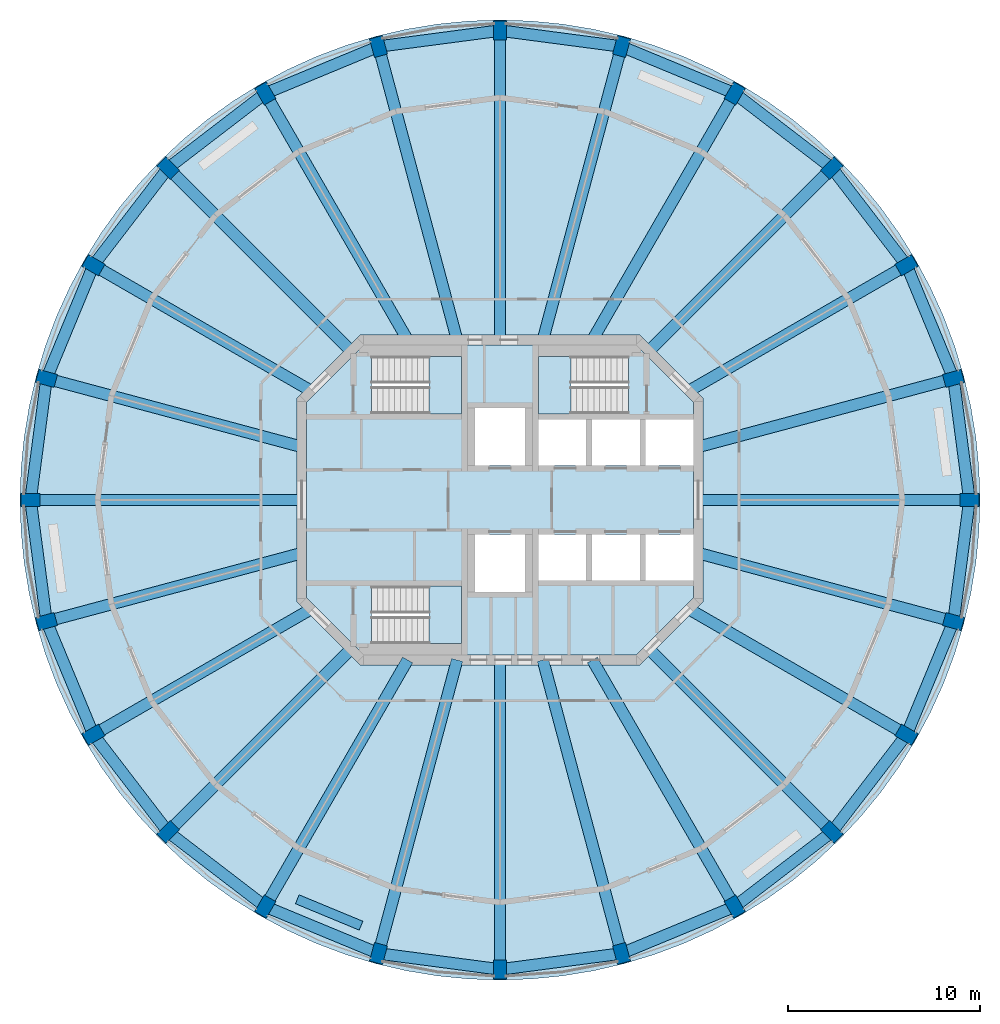
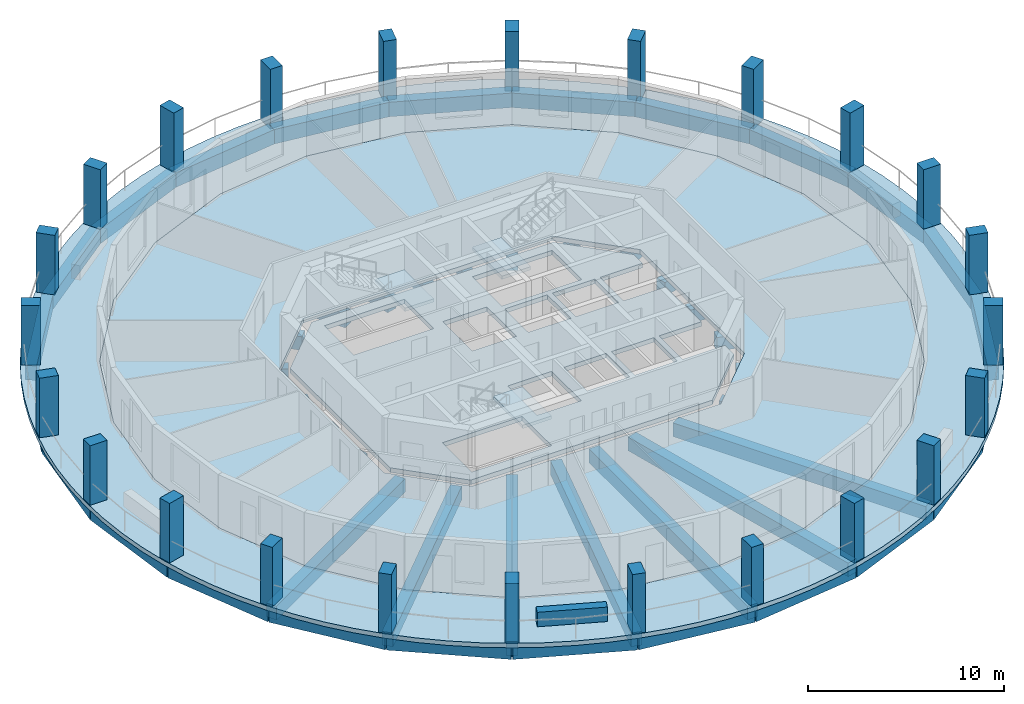
# One storey, part 1 of 9: 48 beams, 24 columns, 6 slabs, 1 wall, 3 elements without a shape of their own.
"""IFC4 building model written with IfcOpenShell, lengths in metres."""

from ifc_helpers import new_model, si_unit, direction, frame, frame_2d, origin, origin_2d, place, context, subcontext, project, spatial, polyline, rectangle, outline, extrude, material, layer, layer_set, material_profile, profile_set, type_object, element, aggregate, save


model = new_model("IFC4")

# Units and contexts
model_context = context("Model", 3, precision=1e-05, world=origin(), true_north=direction((0.0, 1.0)))
body_context = subcontext(model_context, "Body", "Model", "MODEL_VIEW")
ifc_project = project(units=[si_unit("LENGTHUNIT", "METRE"), si_unit("AREAUNIT", "SQUARE_METRE"), si_unit("VOLUMEUNIT", "CUBIC_METRE"), si_unit("PLANEANGLEUNIT", "RADIAN"), si_unit("MASSUNIT", "GRAM", prefix="KILO")], contexts=[model_context])

# Site, building, storey
site_placement = place(None, origin())
site = spatial("IfcSite", under=ifc_project, at=site_placement, CompositionType="ELEMENT")
building_placement = place(site_placement, origin())
building = spatial("IfcBuilding", under=site, at=building_placement, Name="Torre Triforio", CompositionType="ELEMENT")
storey_placement = place(building_placement, frame((0.0, 0.0, 268.60009765625)))
storey = spatial("IfcBuildingStorey", under=building, at=storey_placement, Name="L62", CompositionType="ELEMENT", Elevation=268.60009765625)

# Columns
ifc_material_1 = material(Name="Concrete C40", Category="concrete")
ifc_material_profile_1 = material_profile(ifc_material_1, rectangle(XDim=0.699951171875, YDim=1.0, at=origin_2d()), Name="RC 700x1000")
ifc_profile_set_1 = profile_set([ifc_material_profile_1], Name="Concrete C40")
column_type = type_object("IfcColumnType", Name="Pier RC 700x1000 C40", PredefinedType="COLUMN", material=ifc_profile_set_1)
for number, where, z_axis, x_axis, name in (
    (1, (24.5, 0.0, 0.0), (0.0, 0.0, 1.0), (0.0, 1.0, 0.0), "COL.R.L62.00"),
    (2, (23.665283203125, 6.341064453125, 0.0), (0.0, 0.0, 1.0), (-0.258819045103, 0.965925826289, 0.0), "COL.R.L62.01"),
    (3, (21.217529296875, 12.25, 0.0), (0.0, 0.0, 1.0), (-0.5, 0.866025403784, 0.0), "COL.R.L62.02"),
    (4, (17.32421875, 17.32421875, 0.0), (0.0, 0.0, 1.0), (-0.707106781187, 0.707106781187, 0.0), "COL.R.L62.03"),
    (5, (12.25, 21.217529296875, 0.0), (0.0, 0.0, 1.0), (-0.866025403784, 0.5, 0.0), "COL.R.L62.04"),
    (6, (6.341064453125, 23.665283203125, 0.0), (0.0, 0.0, 1.0), (-0.965925826289, 0.258819045103, 0.0), "COL.R.L62.05"),
    (7, (0.0, 24.5, 0.0), (0.0, 0.0, 1.0), (-1.0, 0.0, 0.0), "COL.R.L62.06"),
    (8, (-6.341064453125, 23.665283203125, 0.0), (0.0, 0.0, 1.0), (-0.965925826289, -0.258819045103, 0.0), "COL.R.L62.07"),
    (9, (-12.25, 21.217529296875, 0.0), (0.0, 0.0, 1.0), (-0.866025403784, -0.5, 0.0), "COL.R.L62.08"),
    (10, (-17.32421875, 17.32421875, 0.0), (0.0, 0.0, 1.0), (-0.707106781187, -0.707106781187, 0.0), "COL.R.L62.09"),
    (11, (-21.217529296875, 12.25, 0.0), (0.0, 0.0, 1.0), (-0.5, -0.866025403784, 0.0), "COL.R.L62.10"),
    (12, (-23.665283203125, 6.341064453125, 0.0), (0.0, 0.0, 1.0), (-0.258819045103, -0.965925826289, 0.0), "COL.R.L62.11"),
    (13, (-24.5, 0.0, 0.0), (0.0, 0.0, 1.0), (0.0, -1.0, 0.0), "COL.R.L62.12"),
    (14, (-23.665283203125, -6.341064453125, 0.0), (0.0, 0.0, 1.0), (0.258819045103, -0.965925826289, 0.0), "COL.R.L62.13"),
    (15, (-21.217529296875, -12.25, 0.0), (0.0, 0.0, 1.0), (0.5, -0.866025403784, 0.0), "COL.R.L62.14"),
    (16, (-17.32421875, -17.32421875, 0.0), (0.0, 0.0, 1.0), (0.707106781187, -0.707106781187, 0.0), "COL.R.L62.15"),
    (17, (-12.25, -21.217529296875, 0.0), (0.0, 0.0, 1.0), (0.866025403784, -0.5, 0.0), "COL.R.L62.16"),
    (18, (-6.341064453125, -23.665283203125, 0.0), (0.0, 0.0, 1.0), (0.965925826289, -0.258819045103, 0.0), "COL.R.L62.17"),
    (19, (0.0, -24.5, 0.0), (0.0, 0.0, 1.0), (1.0, 0.0, 0.0), "COL.R.L62.18"),
    (20, (6.341064453125, -23.665283203125, 0.0), (0.0, 0.0, 1.0), (0.965925826289, 0.258819045103, 0.0), "COL.R.L62.19"),
    (21, (12.25, -21.217529296875, 0.0), (0.0, 0.0, 1.0), (0.866025403784, 0.5, 0.0), "COL.R.L62.20"),
    (22, (17.32421875, -17.32421875, 0.0), (0.0, 0.0, 1.0), (0.707106781187, 0.707106781187, 0.0), "COL.R.L62.21"),
    (23, (21.217529296875, -12.25, 0.0), (0.0, 0.0, 1.0), (0.5, 0.866025403784, 0.0), "COL.R.L62.22"),
    (24, (23.665283203125, -6.341064453125, 0.0), (0.0, 0.0, 1.0), (0.258819045103, 0.965925826289, 0.0), "COL.R.L62.23"),
):
    element("IfcColumn", number, at=place(storey_placement, frame(where, z_axis=z_axis, x_axis=x_axis)), inside=storey, type_object=column_type, Name=name, PredefinedType="COLUMN", context=body_context, shape_type="SweptSolid", body=[
        extrude(rectangle(XDim=0.699951171875, YDim=1.0, at=origin_2d()), origin(), (0.0, 0.0, 1.0), 3.699951171875),
    ])

# Beams
ifc_material_profile_2 = material_profile(ifc_material_1, rectangle(XDim=0.60009765625, YDim=0.85009765625, at=origin_2d()), Name="RC 600x850")
ifc_profile_set_2 = profile_set([ifc_material_profile_2], Name="Concrete C40")
beam_type_1 = type_object("IfcBeamType", Name="Radial beam RC 600x850 C40", PredefinedType="BEAM", material=ifc_profile_set_2)
beam_1_placement = place(storey_placement, frame((10.35009765625, 0.0, -0.705078125), z_axis=(1.0, 0.0, 0.0), x_axis=(0.0, 1.0, 0.0)))
element("IfcBeam", 25, at=beam_1_placement, inside=storey, type_object=beam_type_1, Name="BM.R.L62.00", PredefinedType="BEAM", context=body_context, shape_type="SweptSolid", body=[
    extrude(rectangle(XDim=0.60009765625, YDim=0.85009765625, at=origin_2d()), origin(), (0.0, 0.0, 1.0), 14.14990234375),
])
beam_2_placement = place(storey_placement, frame((10.35009765625, 2.773193359375, -0.705078125), z_axis=(0.965924413872, 0.258824316257, 0.0), x_axis=(-0.258824316257, 0.965924413872, 0.0)))
element("IfcBeam", 26, at=beam_2_placement, inside=storey, type_object=beam_type_1, Name="BM.R.L62.01", PredefinedType="BEAM", context=body_context, shape_type="SweptSolid", body=[
    extrude(rectangle(XDim=0.60009765625, YDim=0.85009765625, at=origin_2d()), origin(), (0.0, 0.0, 1.0), 13.784912109375),
])
beam_3_placement = place(storey_placement, frame((9.860595703125, 5.693115234375, -0.705078125), z_axis=(0.866026853401, 0.499997489182, 0.0), x_axis=(-0.499997489182, 0.866026853401, 0.0)))
element("IfcBeam", 27, at=beam_3_placement, inside=storey, type_object=beam_type_1, Name="BM.R.L62.02", PredefinedType="BEAM", context=body_context, shape_type="SweptSolid", body=[
    extrude(rectangle(XDim=0.60009765625, YDim=0.85009765625, at=origin_2d()), origin(), (0.0, 0.0, 1.0), 13.11376953125),
])
beam_4_placement = place(storey_placement, frame((7.77685546875, 7.77685546875, -0.705078125), z_axis=(0.707106781187, 0.707106781187, 0.0), x_axis=(-0.707106781187, 0.707106781187, 0.0)))
element("IfcBeam", 28, at=beam_4_placement, inside=storey, type_object=beam_type_1, Name="BM.R.L62.03", PredefinedType="BEAM", context=body_context, shape_type="SweptSolid", body=[
    extrude(rectangle(XDim=0.60009765625, YDim=0.85009765625, at=origin_2d()), origin(), (0.0, 0.0, 1.0), 13.501953125),
])
beam_5_placement = place(storey_placement, frame((4.82080078125, 8.35009765625, -0.705078125), z_axis=(0.50000929273, 0.866020038558, 0.0), x_axis=(-0.866020038558, 0.50000929273, 0.0)))
element("IfcBeam", 29, at=beam_5_placement, inside=storey, type_object=beam_type_1, Name="BM.R.L62.04", PredefinedType="BEAM", context=body_context, shape_type="SweptSolid", body=[
    extrude(rectangle(XDim=0.60009765625, YDim=0.85009765625, at=origin_2d()), origin(), (0.0, 0.0, 1.0), 14.858154296875),
])
beam_6_placement = place(storey_placement, frame((2.2373046875, 8.35009765625, -0.705078125), z_axis=(0.258823056343, 0.965924751471, 0.0), x_axis=(-0.965924751471, 0.258823056343, 0.0)))
element("IfcBeam", 30, at=beam_6_placement, inside=storey, type_object=beam_type_1, Name="BM.R.L62.05", PredefinedType="BEAM", context=body_context, shape_type="SweptSolid", body=[
    extrude(rectangle(XDim=0.60009765625, YDim=0.85009765625, at=origin_2d()), origin(), (0.0, 0.0, 1.0), 15.85546875),
])
beam_7_placement = place(storey_placement, frame((0.0, 8.35009765625, -0.705078125), z_axis=(0.0, 1.0, 0.0), x_axis=(-1.0, 0.0, 0.0)))
element("IfcBeam", 31, at=beam_7_placement, inside=storey, type_object=beam_type_1, Name="BM.R.L62.06", PredefinedType="BEAM", context=body_context, shape_type="SweptSolid", body=[
    extrude(rectangle(XDim=0.60009765625, YDim=0.85009765625, at=origin_2d()), origin(), (0.0, 0.0, 1.0), 16.14990234375),
])
beam_8_placement = place(storey_placement, frame((-2.2373046875, 8.35009765625, -0.705078125), z_axis=(-0.258823056343, 0.965924751471, 0.0), x_axis=(-0.965924751471, -0.258823056343, 0.0)))
element("IfcBeam", 32, at=beam_8_placement, inside=storey, type_object=beam_type_1, Name="BM.R.L62.07", PredefinedType="BEAM", context=body_context, shape_type="SweptSolid", body=[
    extrude(rectangle(XDim=0.60009765625, YDim=0.85009765625, at=origin_2d()), origin(), (0.0, 0.0, 1.0), 15.85546875),
])
beam_9_placement = place(storey_placement, frame((-4.82080078125, 8.35009765625, -0.705078125), z_axis=(-0.50000929273, 0.866020038558, 0.0), x_axis=(-0.866020038558, -0.50000929273, 0.0)))
element("IfcBeam", 33, at=beam_9_placement, inside=storey, type_object=beam_type_1, Name="BM.R.L62.08", PredefinedType="BEAM", context=body_context, shape_type="SweptSolid", body=[
    extrude(rectangle(XDim=0.60009765625, YDim=0.85009765625, at=origin_2d()), origin(), (0.0, 0.0, 1.0), 14.858154296875),
])
beam_10_placement = place(storey_placement, frame((-7.77685546875, 7.77685546875, -0.705078125), z_axis=(-0.707106781187, 0.707106781187, 0.0), x_axis=(-0.707106781187, -0.707106781187, 0.0)))
element("IfcBeam", 34, at=beam_10_placement, inside=storey, type_object=beam_type_1, Name="BM.R.L62.09", PredefinedType="BEAM", context=body_context, shape_type="SweptSolid", body=[
    extrude(rectangle(XDim=0.60009765625, YDim=0.85009765625, at=origin_2d()), origin(), (0.0, 0.0, 1.0), 13.501953125),
])
beam_11_placement = place(storey_placement, frame((-9.860595703125, 5.693115234375, -0.705078125), z_axis=(-0.866026853401, 0.499997489182, 0.0), x_axis=(-0.499997489182, -0.866026853401, 0.0)))
element("IfcBeam", 35, at=beam_11_placement, inside=storey, type_object=beam_type_1, Name="BM.R.L62.10", PredefinedType="BEAM", context=body_context, shape_type="SweptSolid", body=[
    extrude(rectangle(XDim=0.60009765625, YDim=0.85009765625, at=origin_2d()), origin(), (0.0, 0.0, 1.0), 13.11376953125),
])
beam_12_placement = place(storey_placement, frame((-10.35009765625, 2.773193359375, -0.705078125), z_axis=(-0.965924413872, 0.258824316257, 0.0), x_axis=(-0.258824316257, -0.965924413872, 0.0)))
element("IfcBeam", 36, at=beam_12_placement, inside=storey, type_object=beam_type_1, Name="BM.R.L62.11", PredefinedType="BEAM", context=body_context, shape_type="SweptSolid", body=[
    extrude(rectangle(XDim=0.60009765625, YDim=0.85009765625, at=origin_2d()), origin(), (0.0, 0.0, 1.0), 13.784912109375),
])
beam_13_placement = place(storey_placement, frame((-10.35009765625, 0.0, -0.705078125), z_axis=(-1.0, 0.0, 0.0), x_axis=(0.0, -1.0, 0.0)))
element("IfcBeam", 37, at=beam_13_placement, inside=storey, type_object=beam_type_1, Name="BM.R.L62.12", PredefinedType="BEAM", context=body_context, shape_type="SweptSolid", body=[
    extrude(rectangle(XDim=0.60009765625, YDim=0.85009765625, at=origin_2d()), origin(), (0.0, 0.0, 1.0), 14.14990234375),
])
beam_14_placement = place(storey_placement, frame((-10.35009765625, -2.773193359375, -0.705078125), z_axis=(-0.965924413872, -0.258824316257, 0.0), x_axis=(0.258824316257, -0.965924413872, 0.0)))
element("IfcBeam", 38, at=beam_14_placement, inside=storey, type_object=beam_type_1, Name="BM.R.L62.13", PredefinedType="BEAM", context=body_context, shape_type="SweptSolid", body=[
    extrude(rectangle(XDim=0.60009765625, YDim=0.85009765625, at=origin_2d()), origin(), (0.0, 0.0, 1.0), 13.784912109375),
])
beam_15_placement = place(storey_placement, frame((-9.860595703125, -5.693115234375, -0.705078125), z_axis=(-0.866026853401, -0.499997489182, 0.0), x_axis=(0.499997489182, -0.866026853401, 0.0)))
element("IfcBeam", 39, at=beam_15_placement, inside=storey, type_object=beam_type_1, Name="BM.R.L62.14", PredefinedType="BEAM", context=body_context, shape_type="SweptSolid", body=[
    extrude(rectangle(XDim=0.60009765625, YDim=0.85009765625, at=origin_2d()), origin(), (0.0, 0.0, 1.0), 13.11376953125),
])
beam_16_placement = place(storey_placement, frame((-7.77685546875, -7.77685546875, -0.705078125), z_axis=(-0.707106781187, -0.707106781187, 0.0), x_axis=(0.707106781187, -0.707106781187, 0.0)))
element("IfcBeam", 40, at=beam_16_placement, inside=storey, type_object=beam_type_1, Name="BM.R.L62.15", PredefinedType="BEAM", context=body_context, shape_type="SweptSolid", body=[
    extrude(rectangle(XDim=0.60009765625, YDim=0.85009765625, at=origin_2d()), origin(), (0.0, 0.0, 1.0), 13.501953125),
])
beam_17_placement = place(storey_placement, frame((-4.82080078125, -8.35009765625, -0.705078125), z_axis=(-0.50000929273, -0.866020038558, 0.0), x_axis=(0.866020038558, -0.50000929273, 0.0)))
element("IfcBeam", 41, at=beam_17_placement, inside=storey, type_object=beam_type_1, Name="BM.R.L62.16", PredefinedType="BEAM", context=body_context, shape_type="SweptSolid", body=[
    extrude(rectangle(XDim=0.60009765625, YDim=0.85009765625, at=origin_2d()), origin(), (0.0, 0.0, 1.0), 14.858154296875),
])
beam_18_placement = place(storey_placement, frame((-2.2373046875, -8.35009765625, -0.705078125), z_axis=(-0.258823056343, -0.965924751471, 0.0), x_axis=(0.965924751471, -0.258823056343, 0.0)))
element("IfcBeam", 42, at=beam_18_placement, inside=storey, type_object=beam_type_1, Name="BM.R.L62.17", PredefinedType="BEAM", context=body_context, shape_type="SweptSolid", body=[
    extrude(rectangle(XDim=0.60009765625, YDim=0.85009765625, at=origin_2d()), origin(), (0.0, 0.0, 1.0), 15.85546875),
])
beam_19_placement = place(storey_placement, frame((0.0, -8.35009765625, -0.705078125), z_axis=(0.0, -1.0, 0.0), x_axis=(1.0, 0.0, 0.0)))
element("IfcBeam", 43, at=beam_19_placement, inside=storey, type_object=beam_type_1, Name="BM.R.L62.18", PredefinedType="BEAM", context=body_context, shape_type="SweptSolid", body=[
    extrude(rectangle(XDim=0.60009765625, YDim=0.85009765625, at=origin_2d()), origin(), (0.0, 0.0, 1.0), 16.14990234375),
])
beam_20_placement = place(storey_placement, frame((2.2373046875, -8.35009765625, -0.705078125), z_axis=(0.258823056343, -0.965924751471, 0.0), x_axis=(0.965924751471, 0.258823056343, 0.0)))
element("IfcBeam", 44, at=beam_20_placement, inside=storey, type_object=beam_type_1, Name="BM.R.L62.19", PredefinedType="BEAM", context=body_context, shape_type="SweptSolid", body=[
    extrude(rectangle(XDim=0.60009765625, YDim=0.85009765625, at=origin_2d()), origin(), (0.0, 0.0, 1.0), 15.85546875),
])
beam_21_placement = place(storey_placement, frame((4.82080078125, -8.35009765625, -0.705078125), z_axis=(0.50000929273, -0.866020038558, 0.0), x_axis=(0.866020038558, 0.50000929273, 0.0)))
element("IfcBeam", 45, at=beam_21_placement, inside=storey, type_object=beam_type_1, Name="BM.R.L62.20", PredefinedType="BEAM", context=body_context, shape_type="SweptSolid", body=[
    extrude(rectangle(XDim=0.60009765625, YDim=0.85009765625, at=origin_2d()), origin(), (0.0, 0.0, 1.0), 14.858154296875),
])
beam_22_placement = place(storey_placement, frame((7.77685546875, -7.77685546875, -0.705078125), z_axis=(0.707106781187, -0.707106781187, 0.0), x_axis=(0.707106781187, 0.707106781187, 0.0)))
element("IfcBeam", 46, at=beam_22_placement, inside=storey, type_object=beam_type_1, Name="BM.R.L62.21", PredefinedType="BEAM", context=body_context, shape_type="SweptSolid", body=[
    extrude(rectangle(XDim=0.60009765625, YDim=0.85009765625, at=origin_2d()), origin(), (0.0, 0.0, 1.0), 13.501953125),
])
beam_23_placement = place(storey_placement, frame((9.860595703125, -5.693115234375, -0.705078125), z_axis=(0.866026853401, -0.499997489182, 0.0), x_axis=(0.499997489182, 0.866026853401, 0.0)))
element("IfcBeam", 47, at=beam_23_placement, inside=storey, type_object=beam_type_1, Name="BM.R.L62.22", PredefinedType="BEAM", context=body_context, shape_type="SweptSolid", body=[
    extrude(rectangle(XDim=0.60009765625, YDim=0.85009765625, at=origin_2d()), origin(), (0.0, 0.0, 1.0), 13.11376953125),
])
beam_24_placement = place(storey_placement, frame((10.35009765625, -2.773193359375, -0.705078125), z_axis=(0.965924413872, -0.258824316257, 0.0), x_axis=(0.258824316257, 0.965924413872, 0.0)))
element("IfcBeam", 48, at=beam_24_placement, inside=storey, type_object=beam_type_1, Name="BM.R.L62.23", PredefinedType="BEAM", context=body_context, shape_type="SweptSolid", body=[
    extrude(rectangle(XDim=0.60009765625, YDim=0.85009765625, at=origin_2d()), origin(), (0.0, 0.0, 1.0), 13.784912109375),
])
ifc_material_profile_3 = material_profile(ifc_material_1, rectangle(XDim=0.60009765625, YDim=0.89990234375, at=origin_2d()), Name="RC 600x900")
ifc_profile_set_3 = profile_set([ifc_material_profile_3], Name="Concrete C40")
beam_type_2 = type_object("IfcBeamType", Name="Spandrel beam RC 600x900 C40", PredefinedType="SPANDREL", material=ifc_profile_set_3)
for number, where, z_axis, x_axis, name in (
    (49, (24.5, 0.0, -0.72998046875), (-0.130510796237, 0.991446888172, 0.0), (-0.991446888172, -0.130510796237, 0.0), "BM.S.L62.00"),
    (50, (23.665283203125, 6.341064453125, -0.72998046875), (-0.382709143949, 0.923868882006, 0.0), (-0.923868882006, -0.382709143949, 0.0), "BM.S.L62.01"),
    (51, (21.217529296875, 12.25, -0.72998046875), (-0.60873442055, 0.79337406388, 0.0), (-0.79337406388, -0.60873442055, 0.0), "BM.S.L62.02"),
    (52, (17.32421875, 17.32421875, -0.72998046875), (-0.79337406388, 0.60873442055, 0.0), (-0.60873442055, -0.79337406388, 0.0), "BM.S.L62.03"),
    (53, (12.25, 21.217529296875, -0.72998046875), (-0.923868882006, 0.382709143949, 0.0), (-0.382709143949, -0.923868882006, 0.0), "BM.S.L62.04"),
    (54, (6.341064453125, 23.665283203125, -0.72998046875), (-0.991446888172, 0.130510796237, 0.0), (-0.130510796237, -0.991446888172, 0.0), "BM.S.L62.05"),
    (55, (0.0, 24.5, -0.72998046875), (-0.991446888172, -0.130510796237, 0.0), (0.130510796237, -0.991446888172, 0.0), "BM.S.L62.06"),
    (56, (-6.341064453125, 23.665283203125, -0.72998046875), (-0.923868882006, -0.382709143949, 0.0), (0.382709143949, -0.923868882006, 0.0), "BM.S.L62.07"),
    (57, (-12.25, 21.217529296875, -0.72998046875), (-0.79337406388, -0.60873442055, 0.0), (0.60873442055, -0.79337406388, 0.0), "BM.S.L62.08"),
    (58, (-17.32421875, 17.32421875, -0.72998046875), (-0.60873442055, -0.79337406388, 0.0), (0.79337406388, -0.60873442055, 0.0), "BM.S.L62.09"),
    (59, (-21.217529296875, 12.25, -0.72998046875), (-0.382709143949, -0.923868882006, 0.0), (0.923868882006, -0.382709143949, 0.0), "BM.S.L62.10"),
    (60, (-23.665283203125, 6.341064453125, -0.72998046875), (-0.130510796237, -0.991446888172, 0.0), (0.991446888172, -0.130510796237, 0.0), "BM.S.L62.11"),
    (61, (-24.5, 0.0, -0.72998046875), (0.130510796237, -0.991446888172, 0.0), (0.991446888172, 0.130510796237, 0.0), "BM.S.L62.12"),
    (62, (-23.665283203125, -6.341064453125, -0.72998046875), (0.382709143949, -0.923868882006, 0.0), (0.923868882006, 0.382709143949, 0.0), "BM.S.L62.13"),
    (63, (-21.217529296875, -12.25, -0.72998046875), (0.60873442055, -0.79337406388, 0.0), (0.79337406388, 0.60873442055, 0.0), "BM.S.L62.14"),
    (64, (-17.32421875, -17.32421875, -0.72998046875), (0.79337406388, -0.60873442055, 0.0), (0.60873442055, 0.79337406388, 0.0), "BM.S.L62.15"),
    (65, (-12.25, -21.217529296875, -0.72998046875), (0.923868882006, -0.382709143949, 0.0), (0.382709143949, 0.923868882006, 0.0), "BM.S.L62.16"),
    (66, (-6.341064453125, -23.665283203125, -0.72998046875), (0.991446888172, -0.130510796237, 0.0), (0.130510796237, 0.991446888172, 0.0), "BM.S.L62.17"),
    (67, (0.0, -24.5, -0.72998046875), (0.991446888172, 0.130510796237, 0.0), (-0.130510796237, 0.991446888172, 0.0), "BM.S.L62.18"),
    (68, (6.341064453125, -23.665283203125, -0.72998046875), (0.923868882006, 0.382709143949, 0.0), (-0.382709143949, 0.923868882006, 0.0), "BM.S.L62.19"),
    (69, (12.25, -21.217529296875, -0.72998046875), (0.79337406388, 0.60873442055, 0.0), (-0.60873442055, 0.79337406388, 0.0), "BM.S.L62.20"),
    (70, (17.32421875, -17.32421875, -0.72998046875), (0.60873442055, 0.79337406388, 0.0), (-0.79337406388, 0.60873442055, 0.0), "BM.S.L62.21"),
    (71, (21.217529296875, -12.25, -0.72998046875), (0.382709143949, 0.923868882006, 0.0), (-0.923868882006, 0.382709143949, 0.0), "BM.S.L62.22"),
    (72, (23.665283203125, -6.341064453125, -0.72998046875), (0.130510796237, 0.991446888172, 0.0), (-0.991446888172, 0.130510796237, 0.0), "BM.S.L62.23"),
):
    element("IfcBeam", number, at=place(storey_placement, frame(where, z_axis=z_axis, x_axis=x_axis)), inside=storey, type_object=beam_type_2, Name=name, PredefinedType="SPANDREL", context=body_context, shape_type="SweptSolid", body=[
        extrude(rectangle(XDim=0.60009765625, YDim=0.89990234375, at=origin_2d()), origin(), (0.0, 0.0, 1.0), 6.395751953125),
    ])

# Slabs
ifc_layer_1 = layer(ifc_material_1, 0.280029296875)
ifc_layer_set_1 = layer_set([ifc_layer_1], Name="Concrete C40")
slab_type_1 = type_object("IfcSlabType", Name="Core floor slab 280 mm C40 REI 120", PredefinedType="FLOOR", material=ifc_layer_set_1)
slab_1_placement = place(storey_placement, frame((0.0, 0.0, -0.280029296875)))
element("IfcSlab", 73, at=slab_1_placement, inside=storey, type_object=slab_type_1, Name="Core floor slab", PredefinedType="FLOOR", context=body_context, shape_type="SweptSolid", body=[
    extrude(outline(polyline([(10.10009765625, -5.10009765625), (7.10009765625, -8.10009765625), (-7.10009765625, -8.10009765625), (-10.10009765625, -5.10009765625), (-10.10009765625, 5.10009765625), (-7.10009765625, 8.10009765625), (7.10009765625, 8.10009765625), (10.10009765625, 5.10009765625), (10.10009765625, 4.199951171875), (7.60009765625, 4.199951171875), (7.60009765625, 1.800048828125), (10.10009765625, 1.800048828125), (10.10009765625, -1.800048828125), (7.60009765625, -1.800048828125), (7.60009765625, -4.199951171875), (10.10009765625, -4.199951171875), (10.10009765625, -5.10009765625)]), holes=[polyline([(-6.696044921875, -4.5), (-6.696044921875, -7.5), (-2.0, -7.5), (-2.0, -4.5), (-6.696044921875, -4.5)]), polyline([(-1.300048828125, -1.800048828125), (-1.300048828125, -4.800048828125), (1.300048828125, -4.800048828125), (1.300048828125, -1.800048828125), (-1.300048828125, -1.800048828125)]), polyline([(2.0, -1.800048828125), (2.0, -4.199951171875), (4.5, -4.199951171875), (4.5, -1.800048828125), (2.0, -1.800048828125)]), polyline([(4.5, 4.199951171875), (2.0, 4.199951171875), (2.0, 1.800048828125), (4.5, 1.800048828125), (4.5, 4.199951171875)]), polyline([(1.300048828125, 4.800048828125), (-1.300048828125, 4.800048828125), (-1.300048828125, 1.800048828125), (1.300048828125, 1.800048828125), (1.300048828125, 4.800048828125)]), polyline([(-6.696044921875, 7.5), (-6.696044921875, 4.5), (-2.0, 4.5), (-2.0, 7.5), (-6.696044921875, 7.5)]), polyline([(7.300048828125, -1.800048828125), (4.800048828125, -1.800048828125), (4.800048828125, -4.199951171875), (7.300048828125, -4.199951171875), (7.300048828125, -1.800048828125)]), polyline([(4.800048828125, 4.199951171875), (4.800048828125, 1.800048828125), (7.300048828125, 1.800048828125), (7.300048828125, 4.199951171875), (4.800048828125, 4.199951171875)]), polyline([(6.696044921875, 7.5), (2.0, 7.5), (2.0, 4.5), (6.696044921875, 4.5), (6.696044921875, 7.5)])]), origin(), (0.0, 0.0, 1.0), 0.280029296875),
])
ifc_layer_2 = layer(ifc_material_1, 0.280029296875)
ifc_layer_set_2 = layer_set([ifc_layer_2], Name="Concrete C40")
slab_type_2 = type_object("IfcSlabType", Name="Floor slab 280 C40", PredefinedType="FLOOR", material=ifc_layer_set_2)
slab_2_placement = place(storey_placement, frame((0.0, 0.0, -0.280029296875)))
element("IfcSlab", 74, at=slab_2_placement, inside=storey, type_object=slab_type_2, Name="SL.L62", PredefinedType="FLOOR", context=body_context, shape_type="SweptSolid", body=[
    extrude(outline(polyline([(18.1865234375, -10.5), (20.284423828125, -5.435302734375), (21.0, 0.0), (20.284423828125, 5.435302734375), (18.1865234375, 10.5), (14.84912109375, 14.84912109375), (10.5, 18.1865234375), (5.435302734375, 20.284423828125), (0.0, 21.0), (-5.435302734375, 20.284423828125), (-10.5, 18.1865234375), (-14.84912109375, 14.84912109375), (-18.1865234375, 10.5), (-20.284423828125, 5.435302734375), (-21.0, 0.0), (-20.284423828125, -5.435302734375), (-18.1865234375, -10.5), (-14.84912109375, -14.84912109375), (-10.5, -18.1865234375), (-5.435302734375, -20.284423828125), (0.0, -21.0), (5.435302734375, -20.284423828125), (10.5, -18.1865234375), (14.84912109375, -14.84912109375), (18.1865234375, -10.5)]), holes=[polyline([(10.60009765625, 5.30712890625), (10.60009765625, -5.30712890625), (7.30712890625, -8.60009765625), (-7.30712890625, -8.60009765625), (-10.60009765625, -5.30712890625), (-10.60009765625, 5.30712890625), (-7.30712890625, 8.60009765625), (7.30712890625, 8.60009765625), (10.60009765625, 5.30712890625)])]), origin(), (0.0, 0.0, 1.0), 0.280029296875),
])
ifc_layer_3 = layer(ifc_material_1, 0.280029296875)
ifc_layer_set_3 = layer_set([ifc_layer_3], Name="Concrete C40")
slab_type_3 = type_object("IfcSlabType", Name="Loggia slab 280 C40", PredefinedType="FLOOR", material=ifc_layer_set_3)
slab_3_placement = place(storey_placement, frame((0.0, 0.0, -0.280029296875)))
element("IfcSlab", 75, at=slab_3_placement, inside=storey, type_object=slab_type_3, Name="SL.L62.LG", PredefinedType="FLOOR", context=body_context, shape_type="SweptSolid", body=[
    extrude(outline(polyline([(24.996337890625, -1.638427734375), (25.050048828125, 0.0), (24.996337890625, 1.638427734375), (24.835693359375, 3.269775390625), (24.568603515625, 4.886962890625), (24.196533203125, 6.4833984375), (23.720703125, 8.052001953125), (23.14306640625, 9.586181640625), (22.466552734375, 11.079345703125), (21.69384765625, 12.52490234375), (20.828369140625, 13.9169921875), (19.87353515625, 15.24951171875), (18.83349609375, 16.5166015625), (17.713134765625, 17.713134765625), (16.5166015625, 18.83349609375), (15.24951171875, 19.87353515625), (13.9169921875, 20.828369140625), (12.52490234375, 21.69384765625), (11.079345703125, 22.466552734375), (9.586181640625, 23.14306640625), (8.052001953125, 23.720703125), (6.4833984375, 24.196533203125), (4.886962890625, 24.568603515625), (3.269775390625, 24.835693359375), (1.638427734375, 24.996337890625), (0.0, 25.050048828125), (-1.638427734375, 24.996337890625), (-3.269775390625, 24.835693359375), (-4.886962890625, 24.568603515625), (-6.4833984375, 24.196533203125), (-8.052001953125, 23.720703125), (-9.586181640625, 23.14306640625), (-11.079345703125, 22.466552734375), (-12.52490234375, 21.69384765625), (-13.9169921875, 20.828369140625), (-15.24951171875, 19.87353515625), (-16.5166015625, 18.83349609375), (-17.713134765625, 17.713134765625), (-18.83349609375, 16.5166015625), (-19.87353515625, 15.24951171875), (-20.828369140625, 13.9169921875), (-21.69384765625, 12.52490234375), (-22.466552734375, 11.079345703125), (-23.14306640625, 9.586181640625), (-23.720703125, 8.052001953125), (-24.196533203125, 6.4833984375), (-24.568603515625, 4.886962890625), (-24.835693359375, 3.269775390625), (-24.996337890625, 1.638427734375), (-25.050048828125, 0.0), (-24.996337890625, -1.638427734375), (-24.835693359375, -3.269775390625), (-24.568603515625, -4.886962890625), (-24.196533203125, -6.4833984375), (-23.720703125, -8.052001953125), (-23.14306640625, -9.586181640625), (-22.466552734375, -11.079345703125), (-21.69384765625, -12.52490234375), (-20.828369140625, -13.9169921875), (-19.87353515625, -15.24951171875), (-18.83349609375, -16.5166015625), (-17.713134765625, -17.713134765625), (-16.5166015625, -18.83349609375), (-15.24951171875, -19.87353515625), (-13.9169921875, -20.828369140625), (-12.52490234375, -21.69384765625), (-11.079345703125, -22.466552734375), (-9.586181640625, -23.14306640625), (-8.052001953125, -23.720703125), (-6.4833984375, -24.196533203125), (-4.886962890625, -24.568603515625), (-3.269775390625, -24.835693359375), (-1.638427734375, -24.996337890625), (0.0, -25.050048828125), (1.638427734375, -24.996337890625), (3.269775390625, -24.835693359375), (4.886962890625, -24.568603515625), (6.4833984375, -24.196533203125), (8.052001953125, -23.720703125), (9.586181640625, -23.14306640625), (11.079345703125, -22.466552734375), (12.52490234375, -21.69384765625), (13.9169921875, -20.828369140625), (15.24951171875, -19.87353515625), (16.5166015625, -18.83349609375), (17.713134765625, -17.713134765625), (18.83349609375, -16.5166015625), (19.87353515625, -15.24951171875), (20.828369140625, -13.9169921875), (21.69384765625, -12.52490234375), (22.466552734375, -11.079345703125), (23.14306640625, -9.586181640625), (23.720703125, -8.052001953125), (24.196533203125, -6.4833984375), (24.568603515625, -4.886962890625), (24.835693359375, -3.269775390625), (24.996337890625, -1.638427734375)]), holes=[polyline([(20.284423828125, 5.435302734375), (21.0, 0.0), (20.284423828125, -5.435302734375), (18.1865234375, -10.5), (14.84912109375, -14.84912109375), (10.5, -18.1865234375), (5.435302734375, -20.284423828125), (0.0, -21.0), (-5.435302734375, -20.284423828125), (-10.5, -18.1865234375), (-14.84912109375, -14.84912109375), (-18.1865234375, -10.5), (-20.284423828125, -5.435302734375), (-21.0, 0.0), (-20.284423828125, 5.435302734375), (-18.1865234375, 10.5), (-14.84912109375, 14.84912109375), (-10.5, 18.1865234375), (-5.435302734375, 20.284423828125), (0.0, 21.0), (5.435302734375, 20.284423828125), (10.5, 18.1865234375), (14.84912109375, 14.84912109375), (18.1865234375, 10.5), (20.284423828125, 5.435302734375)])]), origin(), (0.0, 0.0, 1.0), 0.280029296875),
])

# Stair, slab
stair_type = type_object("IfcStairType", Name="STAIR HALF-TURN", PredefinedType="HALF_TURN_STAIR", material=ifc_material_1)
stair_1_placement = place(storey_placement, origin())
stair_1 = element("IfcStair", 76, at=stair_1_placement, inside=storey, type_object=stair_type, Name="Exit stair 1", PredefinedType="HALF_TURN_STAIR")
ifc_layer_4 = layer(ifc_material_1, 0.199951171875)
ifc_layer_set_4 = layer_set([ifc_layer_4], Name="Concrete C40")
slab_type_4 = type_object("IfcSlabType", Name="STAIR LANDING 200", PredefinedType="LANDING", material=ifc_layer_set_4)
slab_4_placement = place(storey_placement, frame((0.0, 0.0, 1.64990234375)))
slab_4 = element("IfcSlab", 77, at=slab_4_placement, type_object=slab_type_4, Name="ST1 landing 1", PredefinedType="LANDING", context=body_context, shape_type="SweptSolid", body=[
    extrude(outline(polyline([(-2.0, 4.5), (-2.0, 7.5), (-3.699951171875, 7.5), (-3.699951171875, 4.5), (-2.0, 4.5)])), origin(), (0.0, 0.0, 1.0), 0.199951171875),
])
aggregate(stair_1, [slab_4])

stair_2_placement = place(storey_placement, origin())
stair_2 = element("IfcStair", 78, at=stair_2_placement, inside=storey, type_object=stair_type, Name="Exit stair 2", PredefinedType="HALF_TURN_STAIR")
slab_5_placement = place(storey_placement, frame((0.0, 0.0, 1.64990234375)))
slab_5 = element("IfcSlab", 79, at=slab_5_placement, type_object=slab_type_4, Name="ST2 landing 1", PredefinedType="LANDING", context=body_context, shape_type="SweptSolid", body=[
    extrude(outline(polyline([(3.699951171875, 4.5), (3.699951171875, 7.5), (2.0, 7.5), (2.0, 4.5), (3.699951171875, 4.5)])), origin(), (0.0, 0.0, 1.0), 0.199951171875),
])
aggregate(stair_2, [slab_5])

stair_3_placement = place(storey_placement, origin())
stair_3 = element("IfcStair", 80, at=stair_3_placement, inside=storey, type_object=stair_type, Name="Exit stair 3", PredefinedType="HALF_TURN_STAIR")
slab_6_placement = place(storey_placement, frame((0.0, 0.0, 1.64990234375)))
slab_6 = element("IfcSlab", 81, at=slab_6_placement, type_object=slab_type_4, Name="ST3 landing 1", PredefinedType="LANDING", context=body_context, shape_type="SweptSolid", body=[
    extrude(outline(polyline([(-2.0, -7.5), (-2.0, -4.5), (-3.699951171875, -4.5), (-3.699951171875, -7.5), (-2.0, -7.5)])), origin(), (0.0, 0.0, 1.0), 0.199951171875),
])
aggregate(stair_3, [slab_6])

# Wall
ifc_material_2 = material(Name="Limestone cladding", Category="masonry")
ifc_layer_5 = layer(ifc_material_2, 0.10009765625)
ifc_layer_6 = layer(ifc_material_1, 0.39990234375)
ifc_layer_set_5 = layer_set([ifc_layer_5, ifc_layer_6], Name="Limestone cladding / Concrete C40")
wall_type = type_object("IfcWallType", Name="Planter wall 500", PredefinedType="PARAPET", material=ifc_layer_set_5)
wall_placement = place(storey_placement, frame((-10.57958984375, -20.837646484375, 0.0), z_axis=(0.0, 0.0, 1.0), x_axis=(0.923909393783, -0.382611332921, 0.0)))
element("IfcWall", 82, at=wall_placement, inside=storey, type_object=wall_type, Name="Planter L62 bay 17", PredefinedType="PARAPET", context=body_context, shape_type="SweptSolid", body=[
    extrude(rectangle(XDim=3.60009765625, YDim=0.5, at=frame_2d((1.800048828125, 0.0))), origin(), (0.0, 0.0, 1.0), 0.89990234375),
])

save(model, "model.ifc")
